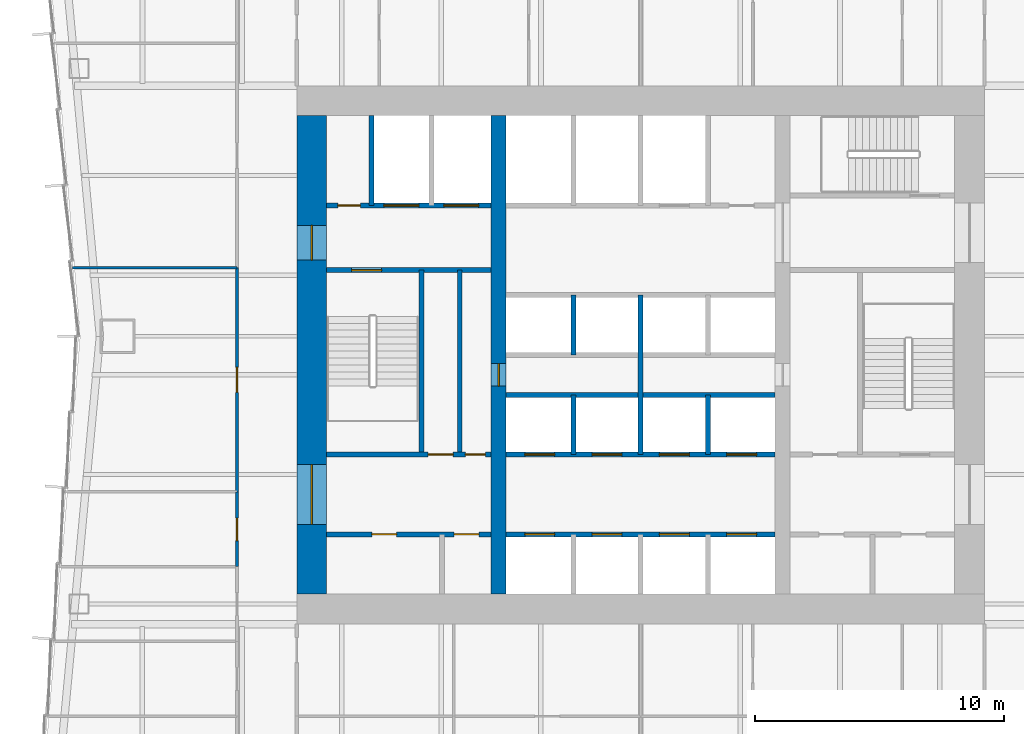
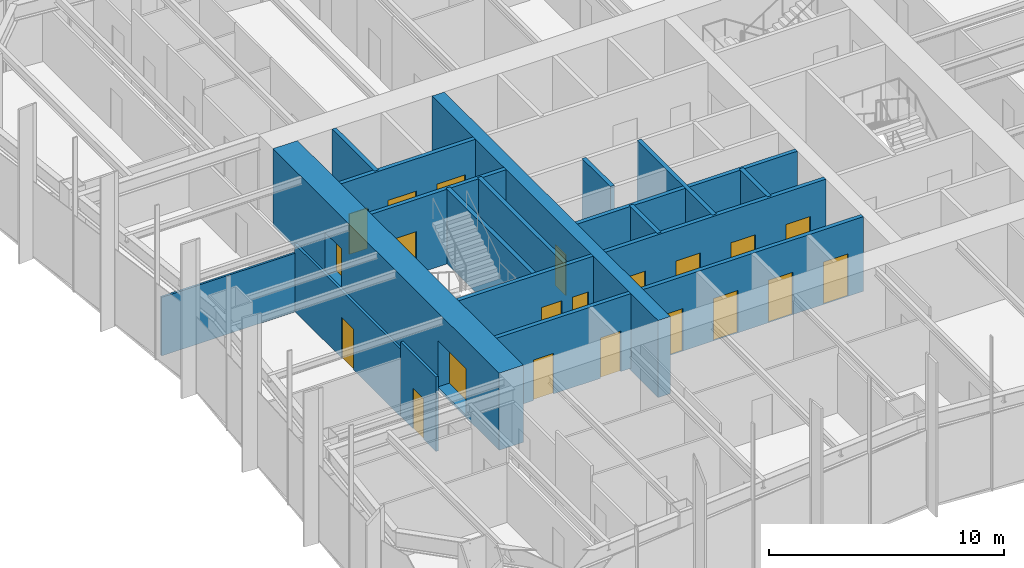
# One storey, part 9 of 13: 21 doors, 19 walls, 21 openings.
"""IFC4 building model written with IfcOpenShell, lengths in metres."""

from ifc_helpers import new_model, si_unit, direction, frame, frame_2d, origin, place, context, subcontext, project, spatial, rectangle, extrude, material, layer, layer_set, type_object, element, fill, save


model = new_model("IFC4")

# Units and contexts
model_context = context("Model", 3, precision=1e-05, world=origin(), true_north=direction((0.0, 1.0)))
body_context = subcontext(model_context, "Body", "Model", "MODEL_VIEW")
ifc_project = project(units=[si_unit("LENGTHUNIT", "METRE"), si_unit("AREAUNIT", "SQUARE_METRE"), si_unit("VOLUMEUNIT", "CUBIC_METRE"), si_unit("PLANEANGLEUNIT", "RADIAN"), si_unit("MASSUNIT", "GRAM", prefix="KILO")], contexts=[model_context])

# Site, building, storey
site_placement = place(None, origin())
site = spatial("IfcSite", under=ifc_project, at=site_placement, CompositionType="ELEMENT")
building_placement = place(site_placement, origin())
building = spatial("IfcBuilding", under=site, at=building_placement, Name="Verdant Reach Tower", CompositionType="ELEMENT")
storey_placement = place(building_placement, frame((0.0, 0.0, 106.0)))
storey = spatial("IfcBuildingStorey", under=building, at=storey_placement, Name="L24", CompositionType="ELEMENT", Elevation=106.0)

# Wall, openings, doors
ifc_material_1 = material(Name="Gypsum board on steel studs", Category="steel")
ifc_layer_1 = layer(ifc_material_1, 0.199951171875)
ifc_layer_set_1 = layer_set([ifc_layer_1], Name="CO-WALL-ROOM")
wall_type_1 = type_object("IfcWallType", Name="CO-WALL-ROOM", PredefinedType="PARTITIONING", material=ifc_layer_set_1)
wall_1_placement = place(storey_placement, frame((-12.60009765625, 20.800048828125, 0.0), z_axis=(0.0, 0.0, 1.0), x_axis=(1.0, 0.0, 0.0)))
wall_1 = element("IfcWall", 1, at=wall_1_placement, inside=storey, type_object=wall_type_1, Name="Core partition, L24", PredefinedType="PARTITIONING", context=body_context, shape_type="SweptSolid", body=[
    extrude(rectangle(XDim=6.60009765625, YDim=0.199951171875, at=frame_2d((3.300048828125, 0.0))), origin(), (0.0, 0.0, 1.0), 3.8701171875),
])
opening_1_placement = place(wall_1_placement, frame((1.81005859375, 0.0, 0.0)))
opening_1 = element("IfcOpeningElement", 2, at=opening_1_placement, cuts=wall_1, Name="Opening CD", PredefinedType="OPENING", context=body_context, shape_type="SweptSolid", body=[
    extrude(rectangle(XDim=1.0, YDim=2.10009765625, at=frame_2d((0.5, 1.050048828125))), frame((0.0, 0.10986328125, 0.0), z_axis=(0.0, -1.0, 0.0), x_axis=(1.0, 0.0, 0.0)), (0.0, 0.0, 1.0), 0.219970703125),
])
opening_2_placement = place(wall_1_placement, frame((5.110107421875, 0.0, 0.0)))
opening_2 = element("IfcOpeningElement", 3, at=opening_2_placement, cuts=wall_1, Name="Opening CD", PredefinedType="OPENING", context=body_context, shape_type="SweptSolid", body=[
    extrude(rectangle(XDim=1.0, YDim=2.10009765625, at=frame_2d((0.5, 1.050048828125))), frame((0.0, 0.10986328125, 0.0), z_axis=(0.0, -1.0, 0.0), x_axis=(1.0, 0.0, 0.0)), (0.0, 0.0, 1.0), 0.219970703125),
])
ifc_material_2 = material(Name="Timber", Category="wood")
door_type_1 = type_object("IfcDoorType", Name="CO-DOOR-ROOM", OperationType="NOTDEFINED", PredefinedType="DOOR", material=ifc_material_2)
door_1_placement = place(opening_1_placement, origin())
door_1 = element("IfcDoor", 4, at=door_1_placement, inside=storey, type_object=door_type_1, Name="Core room door, L24", OperationType="SINGLE_SWING_LEFT", OverallHeight=2.10009765625, OverallWidth=1.0, PredefinedType="DOOR", context=body_context, shape_type="SweptSolid", body=[
    extrude(rectangle(XDim=1.0, YDim=2.10009765625, at=frame_2d((0.5, 1.050048828125))), frame((0.0, 0.02490234375, 0.0), z_axis=(0.0, -1.0, 0.0), x_axis=(1.0, 0.0, 0.0)), (0.0, 0.0, 1.0), 0.050048828125),
])
fill(opening_1, door_1)
door_2_placement = place(opening_2_placement, origin())
door_2 = element("IfcDoor", 5, at=door_2_placement, inside=storey, type_object=door_type_1, Name="Core room door, L24", OperationType="SINGLE_SWING_LEFT", OverallHeight=2.10009765625, OverallWidth=1.0, PredefinedType="DOOR", context=body_context, shape_type="SweptSolid", body=[
    extrude(rectangle(XDim=1.0, YDim=2.10009765625, at=frame_2d((0.5, 1.050048828125))), frame((0.0, 0.02490234375, 0.0), z_axis=(0.0, -1.0, 0.0), x_axis=(1.0, 0.0, 0.0)), (0.0, 0.0, 1.0), 0.050048828125),
])
fill(opening_2, door_2)

# Wall
wall_2_placement = place(storey_placement, frame((-7.260009765625, 24.0, 0.0), z_axis=(0.0, 0.0, 1.0), x_axis=(0.0, 1.0, 0.0)))
element("IfcWall", 6, at=wall_2_placement, inside=storey, type_object=wall_type_1, Name="Core partition, L24", PredefinedType="PARTITIONING", context=body_context, shape_type="SweptSolid", body=[
    extrude(rectangle(XDim=7.39990234375, YDim=0.199951171875, at=frame_2d((3.699951171875, 0.0))), origin(), (0.0, 0.0, 1.0), 3.8701171875),
])

# Wall, openings, doors
ifc_material_3 = material(Name="Concrete C40/50", Category="concrete")
ifc_layer_2 = layer(ifc_material_3, 0.199951171875)
ifc_layer_set_2 = layer_set([ifc_layer_2], Name="CO-WALL-SHAFT")
wall_type_2 = type_object("IfcWallType", Name="CO-WALL-SHAFT", PredefinedType="PARTITIONING", material=ifc_layer_set_2)
wall_3_placement = place(storey_placement, frame((-5.39990234375, 20.800048828125, 0.0), z_axis=(0.0, 0.0, 1.0), x_axis=(1.0, 0.0, 0.0)))
wall_3 = element("IfcWall", 7, at=wall_3_placement, inside=storey, type_object=wall_type_2, Name="Lift shaft wall, L24", PredefinedType="PARTITIONING", context=body_context, shape_type="SweptSolid", body=[
    extrude(rectangle(XDim=10.7998046875, YDim=0.199951171875, at=frame_2d((5.39990234375, 0.0))), origin(), (0.0, 0.0, 1.0), 3.8701171875),
])
opening_3_placement = place(wall_3_placement, frame((0.75, 0.0, 0.0)))
opening_3 = element("IfcOpeningElement", 8, at=opening_3_placement, cuts=wall_3, Name="Opening LD-A1", PredefinedType="OPENING", context=body_context, shape_type="SweptSolid", body=[
    extrude(rectangle(XDim=1.199951171875, YDim=2.199951171875, at=frame_2d((0.60009765625, 1.10009765625))), frame((0.0, 0.10986328125, 0.0), z_axis=(0.0, -1.0, 0.0), x_axis=(1.0, 0.0, 0.0)), (0.0, 0.0, 1.0), 0.219970703125),
])
opening_4_placement = place(wall_3_placement, frame((3.449951171875, 0.0, 0.0)))
opening_4 = element("IfcOpeningElement", 9, at=opening_4_placement, cuts=wall_3, Name="Opening LD-A2", PredefinedType="OPENING", context=body_context, shape_type="SweptSolid", body=[
    extrude(rectangle(XDim=1.199951171875, YDim=2.199951171875, at=frame_2d((0.60009765625, 1.10009765625))), frame((0.0, 0.10986328125, 0.0), z_axis=(0.0, -1.0, 0.0), x_axis=(1.0, 0.0, 0.0)), (0.0, 0.0, 1.0), 0.219970703125),
])
opening_5_placement = place(wall_3_placement, frame((6.14990234375, 0.0, 0.0)))
opening_5 = element("IfcOpeningElement", 10, at=opening_5_placement, cuts=wall_3, Name="Opening LD-A3", PredefinedType="OPENING", context=body_context, shape_type="SweptSolid", body=[
    extrude(rectangle(XDim=1.199951171875, YDim=2.199951171875, at=frame_2d((0.60009765625, 1.10009765625))), frame((0.0, 0.10986328125, 0.0), z_axis=(0.0, -1.0, 0.0), x_axis=(1.0, 0.0, 0.0)), (0.0, 0.0, 1.0), 0.219970703125),
])
opening_6_placement = place(wall_3_placement, frame((8.85009765625, 0.0, 0.0)))
opening_6 = element("IfcOpeningElement", 11, at=opening_6_placement, cuts=wall_3, Name="Opening LD-A4", PredefinedType="OPENING", context=body_context, shape_type="SweptSolid", body=[
    extrude(rectangle(XDim=1.199951171875, YDim=2.199951171875, at=frame_2d((0.60009765625, 1.10009765625))), frame((0.0, 0.10986328125, 0.0), z_axis=(0.0, -1.0, 0.0), x_axis=(1.0, 0.0, 0.0)), (0.0, 0.0, 1.0), 0.219970703125),
])
ifc_material_4 = material(Name="Stainless steel", Category="steel")
door_type_2 = type_object("IfcDoorType", Name="CO-DOOR-LANDING", OperationType="SLIDING_TO_LEFT", PredefinedType="DOOR", material=ifc_material_4)
door_3_placement = place(opening_3_placement, origin())
door_3 = element("IfcDoor", 12, at=door_3_placement, inside=storey, type_object=door_type_2, Name="Landing door A1, L24", OperationType="SLIDING_TO_LEFT", OverallHeight=2.199951171875, OverallWidth=1.199951171875, PredefinedType="DOOR", context=body_context, shape_type="SweptSolid", body=[
    extrude(rectangle(XDim=1.199951171875, YDim=2.199951171875, at=frame_2d((0.60009765625, 1.10009765625))), frame((0.0, 0.02490234375, 0.0), z_axis=(0.0, -1.0, 0.0), x_axis=(1.0, 0.0, 0.0)), (0.0, 0.0, 1.0), 0.050048828125),
])
fill(opening_3, door_3)
door_4_placement = place(opening_4_placement, origin())
door_4 = element("IfcDoor", 13, at=door_4_placement, inside=storey, type_object=door_type_2, Name="Landing door A2, L24", OperationType="SLIDING_TO_LEFT", OverallHeight=2.199951171875, OverallWidth=1.199951171875, PredefinedType="DOOR", context=body_context, shape_type="SweptSolid", body=[
    extrude(rectangle(XDim=1.199951171875, YDim=2.199951171875, at=frame_2d((0.60009765625, 1.10009765625))), frame((0.0, 0.02490234375, 0.0), z_axis=(0.0, -1.0, 0.0), x_axis=(1.0, 0.0, 0.0)), (0.0, 0.0, 1.0), 0.050048828125),
])
fill(opening_4, door_4)
door_5_placement = place(opening_5_placement, origin())
door_5 = element("IfcDoor", 14, at=door_5_placement, inside=storey, type_object=door_type_2, Name="Landing door A3, L24", OperationType="SLIDING_TO_LEFT", OverallHeight=2.199951171875, OverallWidth=1.199951171875, PredefinedType="DOOR", context=body_context, shape_type="SweptSolid", body=[
    extrude(rectangle(XDim=1.199951171875, YDim=2.199951171875, at=frame_2d((0.60009765625, 1.10009765625))), frame((0.0, 0.02490234375, 0.0), z_axis=(0.0, -1.0, 0.0), x_axis=(1.0, 0.0, 0.0)), (0.0, 0.0, 1.0), 0.050048828125),
])
fill(opening_5, door_5)
door_6_placement = place(opening_6_placement, origin())
door_6 = element("IfcDoor", 15, at=door_6_placement, inside=storey, type_object=door_type_2, Name="Landing door A4, L24", OperationType="SLIDING_TO_LEFT", OverallHeight=2.199951171875, OverallWidth=1.199951171875, PredefinedType="DOOR", context=body_context, shape_type="SweptSolid", body=[
    extrude(rectangle(XDim=1.199951171875, YDim=2.199951171875, at=frame_2d((0.60009765625, 1.10009765625))), frame((0.0, 0.02490234375, 0.0), z_axis=(0.0, -1.0, 0.0), x_axis=(1.0, 0.0, 0.0)), (0.0, 0.0, 1.0), 0.050048828125),
])
fill(opening_6, door_6)

wall_4_placement = place(storey_placement, frame((-5.39990234375, 24.0, 0.0), z_axis=(0.0, 0.0, 1.0), x_axis=(1.0, 0.0, 0.0)))
wall_4 = element("IfcWall", 16, at=wall_4_placement, inside=storey, type_object=wall_type_2, Name="Lift shaft wall, L24", PredefinedType="PARTITIONING", context=body_context, shape_type="SweptSolid", body=[
    extrude(rectangle(XDim=10.7998046875, YDim=0.199951171875, at=frame_2d((5.39990234375, 0.0))), origin(), (0.0, 0.0, 1.0), 3.8701171875),
])
opening_7_placement = place(wall_4_placement, frame((0.75, 0.0, 0.0)))
opening_7 = element("IfcOpeningElement", 17, at=opening_7_placement, cuts=wall_4, Name="Opening LD-A5", PredefinedType="OPENING", context=body_context, shape_type="SweptSolid", body=[
    extrude(rectangle(XDim=1.199951171875, YDim=2.199951171875, at=frame_2d((0.60009765625, 1.10009765625))), frame((0.0, 0.10986328125, 0.0), z_axis=(0.0, -1.0, 0.0), x_axis=(1.0, 0.0, 0.0)), (0.0, 0.0, 1.0), 0.219970703125),
])
opening_8_placement = place(wall_4_placement, frame((3.449951171875, 0.0, 0.0)))
opening_8 = element("IfcOpeningElement", 18, at=opening_8_placement, cuts=wall_4, Name="Opening LD-A6", PredefinedType="OPENING", context=body_context, shape_type="SweptSolid", body=[
    extrude(rectangle(XDim=1.199951171875, YDim=2.199951171875, at=frame_2d((0.60009765625, 1.10009765625))), frame((0.0, 0.10986328125, 0.0), z_axis=(0.0, -1.0, 0.0), x_axis=(1.0, 0.0, 0.0)), (0.0, 0.0, 1.0), 0.219970703125),
])
opening_9_placement = place(wall_4_placement, frame((6.14990234375, 0.0, 0.0)))
opening_9 = element("IfcOpeningElement", 19, at=opening_9_placement, cuts=wall_4, Name="Opening LD-A7", PredefinedType="OPENING", context=body_context, shape_type="SweptSolid", body=[
    extrude(rectangle(XDim=1.199951171875, YDim=2.199951171875, at=frame_2d((0.60009765625, 1.10009765625))), frame((0.0, 0.10986328125, 0.0), z_axis=(0.0, -1.0, 0.0), x_axis=(1.0, 0.0, 0.0)), (0.0, 0.0, 1.0), 0.219970703125),
])
opening_10_placement = place(wall_4_placement, frame((8.85009765625, 0.0, 0.0)))
opening_10 = element("IfcOpeningElement", 20, at=opening_10_placement, cuts=wall_4, Name="Opening LD-A8", PredefinedType="OPENING", context=body_context, shape_type="SweptSolid", body=[
    extrude(rectangle(XDim=1.199951171875, YDim=2.199951171875, at=frame_2d((0.60009765625, 1.10009765625))), frame((0.0, 0.10986328125, 0.0), z_axis=(0.0, -1.0, 0.0), x_axis=(1.0, 0.0, 0.0)), (0.0, 0.0, 1.0), 0.219970703125),
])
door_7_placement = place(opening_7_placement, origin())
door_7 = element("IfcDoor", 21, at=door_7_placement, inside=storey, type_object=door_type_2, Name="Landing door A5, L24", OperationType="SLIDING_TO_LEFT", OverallHeight=2.199951171875, OverallWidth=1.199951171875, PredefinedType="DOOR", context=body_context, shape_type="SweptSolid", body=[
    extrude(rectangle(XDim=1.199951171875, YDim=2.199951171875, at=frame_2d((0.60009765625, 1.10009765625))), frame((0.0, 0.02490234375, 0.0), z_axis=(0.0, -1.0, 0.0), x_axis=(1.0, 0.0, 0.0)), (0.0, 0.0, 1.0), 0.050048828125),
])
fill(opening_7, door_7)
door_8_placement = place(opening_8_placement, origin())
door_8 = element("IfcDoor", 22, at=door_8_placement, inside=storey, type_object=door_type_2, Name="Landing door A6, L24", OperationType="SLIDING_TO_LEFT", OverallHeight=2.199951171875, OverallWidth=1.199951171875, PredefinedType="DOOR", context=body_context, shape_type="SweptSolid", body=[
    extrude(rectangle(XDim=1.199951171875, YDim=2.199951171875, at=frame_2d((0.60009765625, 1.10009765625))), frame((0.0, 0.02490234375, 0.0), z_axis=(0.0, -1.0, 0.0), x_axis=(1.0, 0.0, 0.0)), (0.0, 0.0, 1.0), 0.050048828125),
])
fill(opening_8, door_8)
door_9_placement = place(opening_9_placement, origin())
door_9 = element("IfcDoor", 23, at=door_9_placement, inside=storey, type_object=door_type_2, Name="Landing door A7, L24", OperationType="SLIDING_TO_LEFT", OverallHeight=2.199951171875, OverallWidth=1.199951171875, PredefinedType="DOOR", context=body_context, shape_type="SweptSolid", body=[
    extrude(rectangle(XDim=1.199951171875, YDim=2.199951171875, at=frame_2d((0.60009765625, 1.10009765625))), frame((0.0, 0.02490234375, 0.0), z_axis=(0.0, -1.0, 0.0), x_axis=(1.0, 0.0, 0.0)), (0.0, 0.0, 1.0), 0.050048828125),
])
fill(opening_9, door_9)
door_10_placement = place(opening_10_placement, origin())
door_10 = element("IfcDoor", 24, at=door_10_placement, inside=storey, type_object=door_type_2, Name="Landing door A8, L24", OperationType="SLIDING_TO_LEFT", OverallHeight=2.199951171875, OverallWidth=1.199951171875, PredefinedType="DOOR", context=body_context, shape_type="SweptSolid", body=[
    extrude(rectangle(XDim=1.199951171875, YDim=2.199951171875, at=frame_2d((0.60009765625, 1.10009765625))), frame((0.0, 0.02490234375, 0.0), z_axis=(0.0, -1.0, 0.0), x_axis=(1.0, 0.0, 0.0)), (0.0, 0.0, 1.0), 0.050048828125),
])
fill(opening_10, door_10)

# Wall
wall_5_placement = place(storey_placement, frame((-5.39990234375, 26.39990234375, 0.0), z_axis=(0.0, 0.0, 1.0), x_axis=(1.0, 0.0, 0.0)))
element("IfcWall", 25, at=wall_5_placement, inside=storey, type_object=wall_type_2, Name="Lift shaft wall, L24", PredefinedType="PARTITIONING", context=body_context, shape_type="SweptSolid", body=[
    extrude(rectangle(XDim=10.7998046875, YDim=0.199951171875, at=frame_2d((5.39990234375, 0.0))), origin(), (0.0, 0.0, 1.0), 3.8701171875),
])

# Wall, openings, doors
wall_6_placement = place(storey_placement, frame((-12.60009765625, 34.0, 0.0), z_axis=(0.0, 0.0, 1.0), x_axis=(1.0, 0.0, 0.0)))
wall_6 = element("IfcWall", 26, at=wall_6_placement, inside=storey, type_object=wall_type_2, Name="Lift shaft wall, L24", PredefinedType="PARTITIONING", context=body_context, shape_type="SweptSolid", body=[
    extrude(rectangle(XDim=6.60009765625, YDim=0.199951171875, at=frame_2d((3.300048828125, 0.0))), origin(), (0.0, 0.0, 1.0), 3.8701171875),
])
opening_11_placement = place(wall_6_placement, frame((4.699951171875, 0.0, 0.0)))
opening_11 = element("IfcOpeningElement", 27, at=opening_11_placement, cuts=wall_6, Name="Opening LD-F1", PredefinedType="OPENING", context=body_context, shape_type="SweptSolid", body=[
    extrude(rectangle(XDim=1.39990234375, YDim=2.199951171875, at=frame_2d((0.699951171875, 1.10009765625))), frame((0.0, 0.10986328125, 0.0), z_axis=(0.0, -1.0, 0.0), x_axis=(1.0, 0.0, 0.0)), (0.0, 0.0, 1.0), 0.219970703125),
])
opening_12_placement = place(wall_6_placement, frame((2.300048828125, 0.0, 0.0)))
opening_12 = element("IfcOpeningElement", 28, at=opening_12_placement, cuts=wall_6, Name="Opening LD-F2", PredefinedType="OPENING", context=body_context, shape_type="SweptSolid", body=[
    extrude(rectangle(XDim=1.39990234375, YDim=2.199951171875, at=frame_2d((0.699951171875, 1.10009765625))), frame((0.0, 0.10986328125, 0.0), z_axis=(0.0, -1.0, 0.0), x_axis=(1.0, 0.0, 0.0)), (0.0, 0.0, 1.0), 0.219970703125),
])
opening_13_placement = place(wall_6_placement, frame((0.449951171875, 0.0, 0.0)))
opening_13 = element("IfcOpeningElement", 29, at=opening_13_placement, cuts=wall_6, Name="Opening RD", PredefinedType="OPENING", context=body_context, shape_type="SweptSolid", body=[
    extrude(rectangle(XDim=0.89990234375, YDim=2.10009765625, at=frame_2d((0.449951171875, 1.050048828125))), frame((0.0, 0.10986328125, 0.0), z_axis=(0.0, -1.0, 0.0), x_axis=(1.0, 0.0, 0.0)), (0.0, 0.0, 1.0), 0.219970703125),
])
door_type_3 = type_object("IfcDoorType", Name="CO-DOOR-LANDING-FF", OperationType="SLIDING_TO_LEFT", PredefinedType="DOOR", material=ifc_material_4)
door_11_placement = place(opening_11_placement, origin())
door_11 = element("IfcDoor", 30, at=door_11_placement, inside=storey, type_object=door_type_3, Name="Landing door F1, L24", OperationType="SLIDING_TO_LEFT", OverallHeight=2.199951171875, OverallWidth=1.39990234375, PredefinedType="DOOR", context=body_context, shape_type="SweptSolid", body=[
    extrude(rectangle(XDim=1.39990234375, YDim=2.199951171875, at=frame_2d((0.699951171875, 1.10009765625))), frame((0.0, 0.02490234375, 0.0), z_axis=(0.0, -1.0, 0.0), x_axis=(1.0, 0.0, 0.0)), (0.0, 0.0, 1.0), 0.050048828125),
])
fill(opening_11, door_11)
door_12_placement = place(opening_12_placement, origin())
door_12 = element("IfcDoor", 31, at=door_12_placement, inside=storey, type_object=door_type_3, Name="Landing door F2, L24", OperationType="SLIDING_TO_LEFT", OverallHeight=2.199951171875, OverallWidth=1.39990234375, PredefinedType="DOOR", context=body_context, shape_type="SweptSolid", body=[
    extrude(rectangle(XDim=1.39990234375, YDim=2.199951171875, at=frame_2d((0.699951171875, 1.10009765625))), frame((0.0, 0.02490234375, 0.0), z_axis=(0.0, -1.0, 0.0), x_axis=(1.0, 0.0, 0.0)), (0.0, 0.0, 1.0), 0.050048828125),
])
fill(opening_12, door_12)
ifc_material_5 = material(Name="Steel", Category="steel")
door_type_4 = type_object("IfcDoorType", Name="CO-DOOR-RISER", OperationType="NOTDEFINED", PredefinedType="DOOR", material=ifc_material_5)
door_13_placement = place(opening_13_placement, origin())
door_13 = element("IfcDoor", 32, at=door_13_placement, inside=storey, type_object=door_type_4, Name="Core room door, L24", OperationType="SINGLE_SWING_RIGHT", OverallHeight=2.10009765625, OverallWidth=0.89990234375, PredefinedType="DOOR", context=body_context, shape_type="SweptSolid", body=[
    extrude(rectangle(XDim=0.89990234375, YDim=2.10009765625, at=frame_2d((0.449951171875, 1.050048828125))), frame((0.0, 0.02490234375, 0.0), z_axis=(0.0, -1.0, 0.0), x_axis=(1.0, 0.0, 0.0)), (0.0, 0.0, 1.0), 0.050048828125),
])
fill(opening_13, door_13)

# Walls
wall_7_placement = place(storey_placement, frame((-10.800048828125, 34.0, 0.0), z_axis=(0.0, 0.0, 1.0), x_axis=(0.0, 1.0, 0.0)))
element("IfcWall", 33, at=wall_7_placement, inside=storey, type_object=wall_type_2, Name="Lift shaft wall, L24", PredefinedType="PARTITIONING", context=body_context, shape_type="SweptSolid", body=[
    extrude(rectangle(XDim=3.60009765625, YDim=0.199951171875, at=frame_2d((1.800048828125, 0.0))), origin(), (0.0, 0.0, 1.0), 3.8701171875),
])
for number, where, z_axis, x_axis, name in (
    (34, (-2.699951171875, 24.0, 0.0), (0.0, 0.0, 1.0), (0.0, 1.0, 0.0), "Lift shaft wall, L24"),
    (35, (-2.699951171875, 28.0, 0.0), (0.0, 0.0, 1.0), (0.0, 1.0, 0.0), "Lift shaft wall, L24"),
):
    element("IfcWall", number, at=place(storey_placement, frame(where, z_axis=z_axis, x_axis=x_axis)), inside=storey, type_object=wall_type_2, Name=name, PredefinedType="PARTITIONING", context=body_context, shape_type="SweptSolid", body=[
        extrude(rectangle(XDim=2.39990234375, YDim=0.199951171875, at=frame_2d((1.199951171875, 0.0))), origin(), (0.0, 0.0, 1.0), 3.8701171875),
    ])
wall_8_placement = place(storey_placement, frame((0.0, 24.0, 0.0), z_axis=(0.0, 0.0, 1.0), x_axis=(0.0, 1.0, 0.0)))
element("IfcWall", 36, at=wall_8_placement, inside=storey, type_object=wall_type_2, Name="Lift shaft wall, L24", PredefinedType="PARTITIONING", context=body_context, shape_type="SweptSolid", body=[
    extrude(rectangle(XDim=6.39990234375, YDim=0.199951171875, at=frame_2d((3.199951171875, 0.0))), origin(), (0.0, 0.0, 1.0), 3.8701171875),
])
wall_9_placement = place(storey_placement, frame((2.699951171875, 24.0, 0.0), z_axis=(0.0, 0.0, 1.0), x_axis=(0.0, 1.0, 0.0)))
element("IfcWall", 37, at=wall_9_placement, inside=storey, type_object=wall_type_2, Name="Lift shaft wall, L24", PredefinedType="PARTITIONING", context=body_context, shape_type="SweptSolid", body=[
    extrude(rectangle(XDim=2.39990234375, YDim=0.199951171875, at=frame_2d((1.199951171875, 0.0))), origin(), (0.0, 0.0, 1.0), 3.8701171875),
])

# Wall, openings, doors
ifc_layer_3 = layer(ifc_material_3, 0.199951171875)
ifc_layer_set_3 = layer_set([ifc_layer_3], Name="CO-WALL-STAIR")
wall_type_3 = type_object("IfcWallType", Name="CO-WALL-STAIR", PredefinedType="PARTITIONING", material=ifc_layer_set_3)
wall_10_placement = place(storey_placement, frame((-12.60009765625, 24.0, 0.0), z_axis=(0.0, 0.0, 1.0), x_axis=(1.0, 0.0, 0.0)))
wall_10 = element("IfcWall", 38, at=wall_10_placement, inside=storey, type_object=wall_type_3, Name="Stair enclosure wall, L24", PredefinedType="PARTITIONING", context=body_context, shape_type="SweptSolid", body=[
    extrude(rectangle(XDim=6.60009765625, YDim=0.199951171875, at=frame_2d((3.300048828125, 0.0))), origin(), (0.0, 0.0, 1.0), 3.8701171875),
])
opening_14_placement = place(wall_10_placement, frame((4.070068359375, 0.0, 0.0)))
opening_14 = element("IfcOpeningElement", 39, at=opening_14_placement, cuts=wall_10, Name="Opening CD", PredefinedType="OPENING", context=body_context, shape_type="SweptSolid", body=[
    extrude(rectangle(XDim=1.0, YDim=2.10009765625, at=frame_2d((0.5, 1.050048828125))), frame((0.0, 0.10986328125, 0.0), z_axis=(0.0, -1.0, 0.0), x_axis=(1.0, 0.0, 0.0)), (0.0, 0.0, 1.0), 0.219970703125),
])
opening_15_placement = place(wall_10_placement, frame((5.570068359375, 0.0, 0.0)))
opening_15 = element("IfcOpeningElement", 40, at=opening_15_placement, cuts=wall_10, Name="Opening CDN", PredefinedType="OPENING", context=body_context, shape_type="SweptSolid", body=[
    extrude(rectangle(XDim=0.800048828125, YDim=2.10009765625, at=frame_2d((0.39990234375, 1.050048828125))), frame((0.0, 0.10986328125, 0.0), z_axis=(0.0, -1.0, 0.0), x_axis=(1.0, 0.0, 0.0)), (0.0, 0.0, 1.0), 0.219970703125),
])
door_14_placement = place(opening_14_placement, origin())
door_14 = element("IfcDoor", 41, at=door_14_placement, inside=storey, type_object=door_type_1, Name="Core room door, L24", OperationType="SINGLE_SWING_RIGHT", OverallHeight=2.10009765625, OverallWidth=1.0, PredefinedType="DOOR", context=body_context, shape_type="SweptSolid", body=[
    extrude(rectangle(XDim=1.0, YDim=2.10009765625, at=frame_2d((0.5, 1.050048828125))), frame((0.0, 0.02490234375, 0.0), z_axis=(0.0, -1.0, 0.0), x_axis=(1.0, 0.0, 0.0)), (0.0, 0.0, 1.0), 0.050048828125),
])
fill(opening_14, door_14)
door_type_5 = type_object("IfcDoorType", Name="CO-DOOR-ROOM-NARROW", OperationType="NOTDEFINED", PredefinedType="DOOR", material=ifc_material_2)
door_15_placement = place(opening_15_placement, origin())
door_15 = element("IfcDoor", 42, at=door_15_placement, inside=storey, type_object=door_type_5, Name="Core room door, L24", OperationType="SINGLE_SWING_LEFT", OverallHeight=2.10009765625, OverallWidth=0.800048828125, PredefinedType="DOOR", context=body_context, shape_type="SweptSolid", body=[
    extrude(rectangle(XDim=0.800048828125, YDim=2.10009765625, at=frame_2d((0.39990234375, 1.050048828125))), frame((0.0, 0.02490234375, 0.0), z_axis=(0.0, -1.0, 0.0), x_axis=(1.0, 0.0, 0.0)), (0.0, 0.0, 1.0), 0.050048828125),
])
fill(opening_15, door_15)

# Wall, opening, door
wall_11_placement = place(storey_placement, frame((-12.60009765625, 31.39990234375, 0.0), z_axis=(0.0, 0.0, 1.0), x_axis=(1.0, 0.0, 0.0)))
wall_11 = element("IfcWall", 43, at=wall_11_placement, inside=storey, type_object=wall_type_3, Name="Stair enclosure wall, L24", PredefinedType="PARTITIONING", context=body_context, shape_type="SweptSolid", body=[
    extrude(rectangle(XDim=6.60009765625, YDim=0.199951171875, at=frame_2d((3.300048828125, 0.0))), origin(), (0.0, 0.0, 1.0), 3.8701171875),
])
opening_16_placement = place(wall_11_placement, frame((1.0, 0.0, 0.0)))
opening_16 = element("IfcOpeningElement", 44, at=opening_16_placement, cuts=wall_11, Name="Opening SD", PredefinedType="OPENING", context=body_context, shape_type="SweptSolid", body=[
    extrude(rectangle(XDim=1.199951171875, YDim=2.199951171875, at=frame_2d((0.60009765625, 1.10009765625))), frame((0.0, 0.10986328125, 0.0), z_axis=(0.0, -1.0, 0.0), x_axis=(1.0, 0.0, 0.0)), (0.0, 0.0, 1.0), 0.219970703125),
])
door_type_6 = type_object("IfcDoorType", Name="CO-DOOR-STAIR", OperationType="NOTDEFINED", PredefinedType="DOOR", material=ifc_material_5)
door_16_placement = place(opening_16_placement, origin())
door_16 = element("IfcDoor", 45, at=door_16_placement, inside=storey, type_object=door_type_6, Name="Stair door, L24", OperationType="SINGLE_SWING_RIGHT", OverallHeight=2.199951171875, OverallWidth=1.199951171875, PredefinedType="DOOR", context=body_context, shape_type="SweptSolid", body=[
    extrude(rectangle(XDim=1.199951171875, YDim=2.199951171875, at=frame_2d((0.60009765625, 1.10009765625))), frame((0.0, 0.02490234375, 0.0), z_axis=(0.0, -1.0, 0.0), x_axis=(1.0, 0.0, 0.0)), (0.0, 0.0, 1.0), 0.050048828125),
])
fill(opening_16, door_16)

# Walls
wall_12_placement = place(storey_placement, frame((-8.800048828125, 24.0, 0.0), z_axis=(0.0, 0.0, 1.0), x_axis=(0.0, 1.0, 0.0)))
element("IfcWall", 46, at=wall_12_placement, inside=storey, type_object=wall_type_3, Name="Stair enclosure wall, L24", PredefinedType="PARTITIONING", context=body_context, shape_type="SweptSolid", body=[
    extrude(rectangle(XDim=7.39990234375, YDim=0.199951171875, at=frame_2d((3.699951171875, 0.0))), origin(), (0.0, 0.0, 1.0), 3.8701171875),
])
ifc_layer_4 = layer(ifc_material_1, 0.10009765625)
ifc_layer_set_4 = layer_set([ifc_layer_4], Name="FL-W1 Partition 100")
wall_type_4 = type_object("IfcWallType", Name="FL-W1 Partition 100", PredefinedType="PARTITIONING", material=ifc_layer_set_4)
wall_13_placement = place(storey_placement, frame((-16.199951171875, 31.5, 0.0), z_axis=(0.0, 0.0, 1.0), x_axis=(-1.0, 0.0, 0.0)))
element("IfcWall", 47, at=wall_13_placement, inside=storey, type_object=wall_type_4, Name="Partition 24.31", PredefinedType="PARTITIONING", context=body_context, shape_type="SweptSolid", body=[
    extrude(rectangle(XDim=6.60595703125, YDim=0.10009765625, at=frame_2d((3.302978515625, 0.0))), origin(), (0.0, 0.0, 1.0), 3.0400390625),
])

# Wall, opening, door
ifc_material_6 = material(Name="Gypsum board on steel studs, fire rated", Category="steel")
ifc_layer_5 = layer(ifc_material_6, 0.125)
ifc_layer_set_5 = layer_set([ifc_layer_5], Name="FL-W2 Corridor wall 125")
wall_type_5 = type_object("IfcWallType", Name="FL-W2 Corridor wall 125", PredefinedType="PARTITIONING", material=ifc_layer_set_5)
wall_14_placement = place(storey_placement, frame((-16.199951171875, 19.5, 0.0), z_axis=(0.0, 0.0, 1.0), x_axis=(0.0, 1.0, 0.0)))
wall_14 = element("IfcWall", 48, at=wall_14_placement, inside=storey, type_object=wall_type_5, Name="Partition 24.04", PredefinedType="PARTITIONING", context=body_context, shape_type="SweptSolid", body=[
    extrude(rectangle(XDim=3.0, YDim=0.125, at=frame_2d((1.5, 0.0))), origin(), (0.0, 0.0, 1.0), 3.8701171875),
])
opening_17_placement = place(wall_14_placement, frame((1.050048828125, 0.0, 0.0)))
opening_17 = element("IfcOpeningElement", 49, at=opening_17_placement, cuts=wall_14, Name="Opening D1", PredefinedType="OPENING", context=body_context, shape_type="SweptSolid", body=[
    extrude(rectangle(XDim=0.89990234375, YDim=2.10009765625, at=frame_2d((0.449951171875, 1.050048828125))), frame((0.0, 0.072509765625, 0.0), z_axis=(0.0, -1.0, 0.0), x_axis=(1.0, 0.0, 0.0)), (0.0, 0.0, 1.0), 0.14501953125),
])
ifc_material_7 = material(Name="Painted timber door leaf", Category="wood")
door_type_7 = type_object("IfcDoorType", Name="FL-D1 Door 900x2100", OperationType="NOTDEFINED", PredefinedType="DOOR", material=ifc_material_7)
door_17_placement = place(opening_17_placement, origin())
door_17 = element("IfcDoor", 50, at=door_17_placement, inside=storey, type_object=door_type_7, Name="Door 24-004", OperationType="SINGLE_SWING_RIGHT", OverallHeight=2.10009765625, OverallWidth=0.89990234375, PredefinedType="DOOR", context=body_context, shape_type="SweptSolid", body=[
    extrude(rectangle(XDim=0.89990234375, YDim=2.10009765625, at=frame_2d((0.449951171875, 1.050048828125))), frame((0.0, 0.02490234375, 0.0), z_axis=(0.0, -1.0, 0.0), x_axis=(1.0, 0.0, 0.0)), (0.0, 0.0, 1.0), 0.050048828125),
])
fill(opening_17, door_17)

wall_15_placement = place(storey_placement, frame((-16.199951171875, 22.5, 0.0), z_axis=(0.0, 0.0, 1.0), x_axis=(0.0, 1.0, 0.0)))
wall_15 = element("IfcWall", 51, at=wall_15_placement, inside=storey, type_object=wall_type_5, Name="Partition 24.05", PredefinedType="PARTITIONING", context=body_context, shape_type="SweptSolid", body=[
    extrude(rectangle(XDim=9.0, YDim=0.125, at=frame_2d((4.5, 0.0))), origin(), (0.0, 0.0, 1.0), 3.47998046875),
])
opening_18_placement = place(wall_15_placement, frame((4.0, 0.0, 0.0)))
opening_18 = element("IfcOpeningElement", 52, at=opening_18_placement, cuts=wall_15, Name="Opening D2", PredefinedType="OPENING", context=body_context, shape_type="SweptSolid", body=[
    extrude(rectangle(XDim=1.0, YDim=2.10009765625, at=frame_2d((0.5, 1.050048828125))), frame((0.0, 0.072509765625, 0.0), z_axis=(0.0, -1.0, 0.0), x_axis=(1.0, 0.0, 0.0)), (0.0, 0.0, 1.0), 0.14501953125),
])
ifc_material_8 = material(Name="Timber door leaf, fire rated", Category="wood")
door_type_8 = type_object("IfcDoorType", Name="FL-D2 Entrance door 1000x2100 FD30", OperationType="NOTDEFINED", PredefinedType="DOOR", material=ifc_material_8)
door_18_placement = place(opening_18_placement, origin())
door_18 = element("IfcDoor", 53, at=door_18_placement, inside=storey, type_object=door_type_8, Name="Door 24-005", OperationType="SINGLE_SWING_LEFT", OverallHeight=2.10009765625, OverallWidth=1.0, PredefinedType="DOOR", context=body_context, shape_type="SweptSolid", body=[
    extrude(rectangle(XDim=1.0, YDim=2.10009765625, at=frame_2d((0.5, 1.050048828125))), frame((0.0, 0.02490234375, 0.0), z_axis=(0.0, -1.0, 0.0), x_axis=(1.0, 0.0, 0.0)), (0.0, 0.0, 1.0), 0.050048828125),
])
fill(opening_18, door_18)

# Wall, openings, doors
ifc_material_9 = material(Name="Concrete C70/85", Category="concrete")
ifc_layer_6 = layer(ifc_material_9, 1.199951171875)
ifc_layer_set_6 = layer_set([ifc_layer_6], Name="ST-CORE-WALL-1200")
wall_type_6 = type_object("IfcWallType", Name="ST-CORE-WALL-1200", PredefinedType="SHEAR", material=ifc_layer_set_6)
wall_16_placement = place(storey_placement, frame((-13.199951171875, 18.39990234375, -0.1298828125), z_axis=(0.0, 0.0, 1.0), x_axis=(0.0, 1.0, 0.0)))
wall_16 = element("IfcWall", 54, at=wall_16_placement, inside=storey, type_object=wall_type_6, Name="Core wall W, L24", PredefinedType="SHEAR", context=body_context, shape_type="SweptSolid", body=[
    extrude(rectangle(XDim=19.2001953125, YDim=1.199951171875, at=frame_2d((9.60009765625, 0.0))), origin(), (0.0, 0.0, 1.0), 4.0),
])
opening_19_placement = place(wall_16_placement, frame((2.800048828125, 0.0, 0.1298828125)))
opening_19 = element("IfcOpeningElement", 55, at=opening_19_placement, cuts=wall_16, Name="Opening LB", PredefinedType="OPENING", context=body_context, shape_type="SweptSolid", body=[
    extrude(rectangle(XDim=2.39990234375, YDim=2.39990234375, at=frame_2d((1.199951171875, 1.199951171875))), frame((0.0, 0.60986328125, 0.0), z_axis=(0.0, -1.0, 0.0), x_axis=(1.0, 0.0, 0.0)), (0.0, 0.0, 1.0), 1.219970703125),
])
opening_20_placement = place(wall_16_placement, frame((13.39990234375, 0.0, 0.1298828125)))
opening_20 = element("IfcOpeningElement", 56, at=opening_20_placement, cuts=wall_16, Name="Opening FL", PredefinedType="OPENING", context=body_context, shape_type="SweptSolid", body=[
    extrude(rectangle(XDim=1.39990234375, YDim=2.199951171875, at=frame_2d((0.699951171875, 1.10009765625))), frame((0.0, 0.60986328125, 0.0), z_axis=(0.0, -1.0, 0.0), x_axis=(1.0, 0.0, 0.0)), (0.0, 0.0, 1.0), 1.219970703125),
])
door_type_9 = type_object("IfcDoorType", Name="CO-DOOR-FFL", OperationType="NOTDEFINED", PredefinedType="DOOR", material=ifc_material_5)
door_19_placement = place(opening_20_placement, origin())
door_19 = element("IfcDoor", 57, at=door_19_placement, inside=storey, type_object=door_type_9, Name="Core entrance door, L24", OperationType="SINGLE_SWING_RIGHT", OverallHeight=2.199951171875, OverallWidth=1.39990234375, PredefinedType="DOOR", context=body_context, shape_type="SweptSolid", body=[
    extrude(rectangle(XDim=1.39990234375, YDim=2.199951171875, at=frame_2d((0.699951171875, 1.10009765625))), frame((0.0, 0.02490234375, 0.0), z_axis=(0.0, -1.0, 0.0), x_axis=(1.0, 0.0, 0.0)), (0.0, 0.0, 1.0), 0.050048828125),
])
fill(opening_20, door_19)
ifc_material_10 = material(Name="Glass and steel", Category="steel")
door_type_10 = type_object("IfcDoorType", Name="CO-DOOR-LOBBY", OperationType="DOUBLE_DOOR_SINGLE_SWING", PredefinedType="DOOR", material=ifc_material_10)
door_20_placement = place(opening_19_placement, origin())
door_20 = element("IfcDoor", 58, at=door_20_placement, inside=storey, type_object=door_type_10, Name="Core entrance door, L24", OperationType="DOUBLE_DOOR_SINGLE_SWING", OverallHeight=2.39990234375, OverallWidth=2.39990234375, PredefinedType="DOOR", context=body_context, shape_type="SweptSolid", body=[
    extrude(rectangle(XDim=2.39990234375, YDim=2.39990234375, at=frame_2d((1.199951171875, 1.199951171875))), frame((0.0, 0.02490234375, 0.0), z_axis=(0.0, -1.0, 0.0), x_axis=(1.0, 0.0, 0.0)), (0.0, 0.0, 1.0), 0.050048828125),
])
fill(opening_19, door_20)

# Wall, opening, door
ifc_layer_7 = layer(ifc_material_9, 0.60009765625)
ifc_layer_set_7 = layer_set([ifc_layer_7], Name="ST-CORE-WALL-600")
wall_type_7 = type_object("IfcWallType", Name="ST-CORE-WALL-600", PredefinedType="SHEAR", material=ifc_layer_set_7)
wall_17_placement = place(storey_placement, frame((-5.699951171875, 18.39990234375, -0.1298828125), z_axis=(0.0, 0.0, 1.0), x_axis=(0.0, 1.0, 0.0)))
wall_17 = element("IfcWall", 59, at=wall_17_placement, inside=storey, type_object=wall_type_7, Name="Core wall XW, L24", PredefinedType="SHEAR", context=body_context, shape_type="SweptSolid", body=[
    extrude(rectangle(XDim=19.2001953125, YDim=0.60009765625, at=frame_2d((9.60009765625, 0.0))), origin(), (0.0, 0.0, 1.0), 4.0),
])
opening_21_placement = place(wall_17_placement, frame((8.35009765625, 0.0, 0.1298828125)))
opening_21 = element("IfcOpeningElement", 60, at=opening_21_placement, cuts=wall_17, Name="Opening RD", PredefinedType="OPENING", context=body_context, shape_type="SweptSolid", body=[
    extrude(rectangle(XDim=0.89990234375, YDim=2.10009765625, at=frame_2d((0.449951171875, 1.050048828125))), frame((0.0, 0.31005859375, 0.0), z_axis=(0.0, -1.0, 0.0), x_axis=(1.0, 0.0, 0.0)), (0.0, 0.0, 1.0), 0.6201171875),
])
door_21_placement = place(opening_21_placement, origin())
door_21 = element("IfcDoor", 61, at=door_21_placement, inside=storey, type_object=door_type_4, Name="Riser door, L24", OperationType="SINGLE_SWING_LEFT", OverallHeight=2.10009765625, OverallWidth=0.89990234375, PredefinedType="DOOR", context=body_context, shape_type="SweptSolid", body=[
    extrude(rectangle(XDim=0.89990234375, YDim=2.10009765625, at=frame_2d((0.449951171875, 1.050048828125))), frame((0.0, 0.02490234375, 0.0), z_axis=(0.0, -1.0, 0.0), x_axis=(1.0, 0.0, 0.0)), (0.0, 0.0, 1.0), 0.050048828125),
])
fill(opening_21, door_21)

save(model, "model.ifc")
